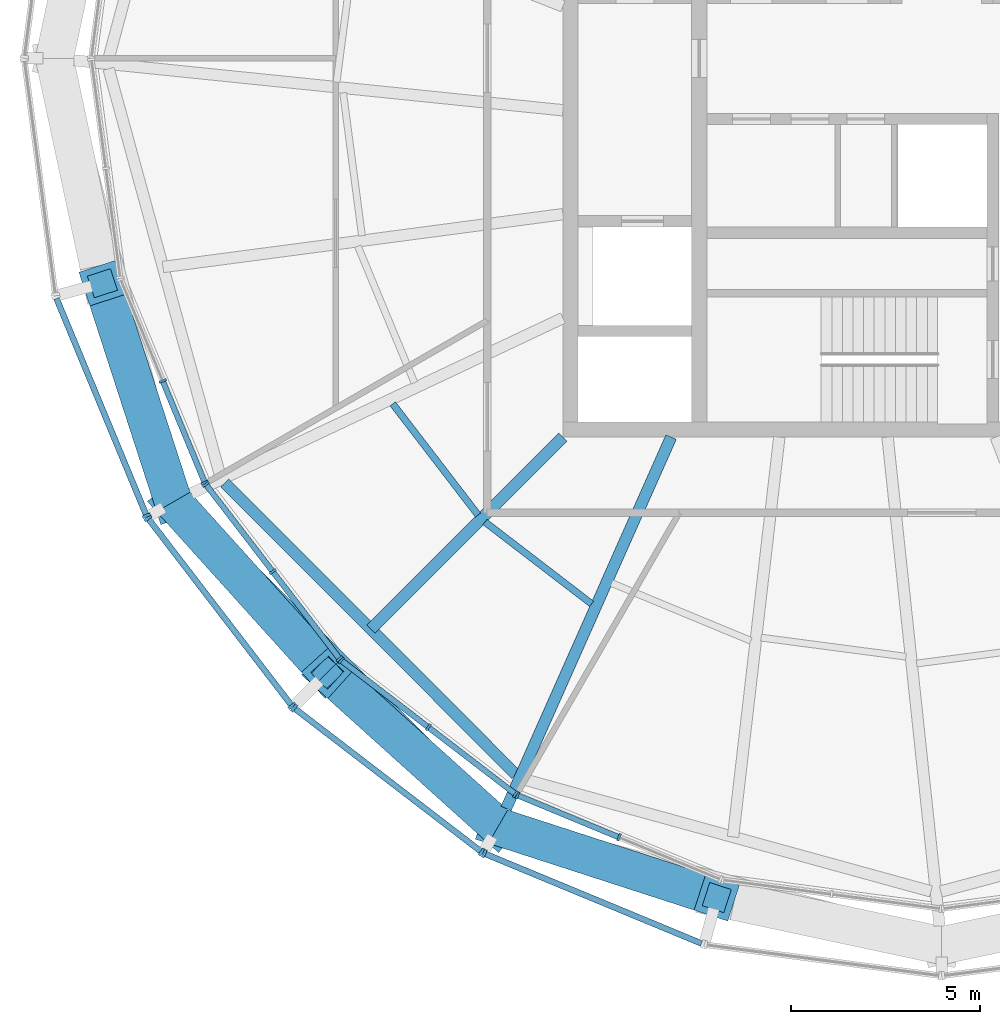
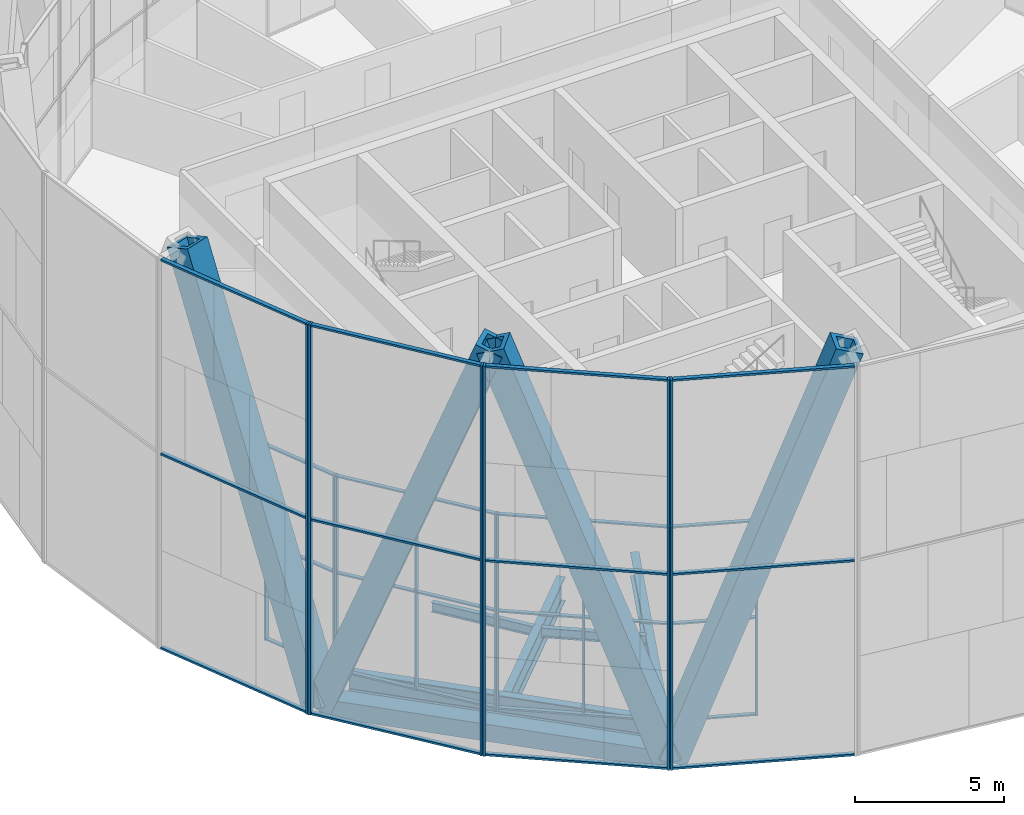
# One storey, part 1 of 22: 50 members, 6 beams, 8 elements without a shape of their own.
"""IFC4 building model written with IfcOpenShell, lengths in metres."""

from ifc_helpers import new_model, si_unit, direction, frame, origin, origin_2d, place, context, subcontext, project, spatial, rectangle, hollow_rectangle, i_section, extrude, material, material_profile, profile_set, type_object, element, aggregate, save


model = new_model("IFC4")

# Units and contexts
model_context = context("Model", 3, precision=1e-05, world=origin(), true_north=direction((0.0, 1.0)))
body_context = subcontext(model_context, "Body", "Model", "MODEL_VIEW")
ifc_project = project(units=[si_unit("LENGTHUNIT", "METRE"), si_unit("AREAUNIT", "SQUARE_METRE"), si_unit("VOLUMEUNIT", "CUBIC_METRE"), si_unit("PLANEANGLEUNIT", "RADIAN"), si_unit("MASSUNIT", "GRAM", prefix="KILO")], contexts=[model_context])

# Site, building, storey
site_placement = place(None, origin())
site = spatial("IfcSite", under=ifc_project, at=site_placement, CompositionType="ELEMENT")
building_placement = place(site_placement, origin())
building = spatial("IfcBuilding", under=site, at=building_placement, Name="Golbaran Civic Tower", CompositionType="ELEMENT")
storey_placement = place(building_placement, frame((0.0, 0.0, 248.0)))
storey = spatial("IfcBuildingStorey", under=building, at=storey_placement, Name="L60", CompositionType="ELEMENT", Elevation=248.0)

# Members
ifc_material_1 = material(Name="Steel S355", Category="steel")
ifc_material_profile_1 = material_profile(ifc_material_1, hollow_rectangle(XDim=1.0, YDim=1.0, WallThickness=0.179931640625, at=origin_2d()), Name="BOX 1000x1000x180")
ifc_profile_set_1 = profile_set([ifc_material_profile_1], Name="Steel S355")
member_type_1 = type_object("IfcMemberType", Name="DIAGRID DIAGONAL BOX 1000x1000x180", PredefinedType="BRACE", material=ifc_profile_set_1)
for number, where, z_axis, x_axis, name in (
    (1, (-20.284912109375, -11.71142578125, -0.7099609375), (0.237551283293, -0.263444958098, 0.934968524528), (0.742661884104, 0.669666578156, 0.0), "Diagonal D14-07R L60-L64"),
    (2, (-20.284912109375, -11.71142578125, -0.7099609375), (-0.109367082262, 0.337445812256, 0.934970141292), (-0.951284682379, -0.30831388725, 0.0), "Diagonal D14-07L L60-L64"),
    (3, (-11.71142578125, -20.284912109375, -0.7099609375), (0.337445812256, -0.109367082262, 0.934970141292), (0.30831388725, 0.951284682379, 0.0), "Diagonal D14-08R L60-L64"),
    (4, (-11.71142578125, -20.284912109375, -0.7099609375), (-0.263444958098, 0.237551283293, 0.934968524528), (-0.669666578156, -0.742661884104, 0.0), "Diagonal D14-08L L60-L64"),
):
    element("IfcMember", number, at=place(storey_placement, frame(where, z_axis=z_axis, x_axis=x_axis)), inside=storey, type_object=member_type_1, Name=name, PredefinedType="BRACE", context=body_context, shape_type="SweptSolid", body=[
        extrude(hollow_rectangle(XDim=1.0, YDim=1.0, WallThickness=0.179931640625, at=origin_2d()), origin(), (0.0, 0.0, 1.0), 17.11279296875),
    ])

# Beams
ifc_material_profile_2 = material_profile(ifc_material_1, hollow_rectangle(XDim=0.699951171875, YDim=0.699951171875, WallThickness=0.080078125, at=origin_2d()), Name="BOX 700x700x80")
ifc_profile_set_2 = profile_set([ifc_material_profile_2], Name="Steel S355")
beam_type_1 = type_object("IfcBeamType", Name="DIAGRID RING TIE BOX 700x700x80", PredefinedType="BEAM", material=ifc_profile_set_2)
beam_1_placement = place(storey_placement, frame((-20.284912109375, -11.71142578125, -0.7099609375), z_axis=(0.707106781187, -0.707106781187, 0.0), x_axis=(0.707106781187, 0.707106781187, 0.0)))
element("IfcBeam", 5, at=beam_1_placement, inside=storey, type_object=beam_type_1, Name="Ring tie 210.00 L60", PredefinedType="BEAM", context=body_context, shape_type="SweptSolid", body=[
    extrude(hollow_rectangle(XDim=0.699951171875, YDim=0.699951171875, WallThickness=0.080078125, at=origin_2d()), origin(), (0.0, 0.0, 1.0), 12.124755859375),
])
ifc_material_profile_3 = material_profile(ifc_material_1, i_section(OverallWidth=0.300048828125, OverallDepth=0.800048828125, WebThickness=0.017578125, FlangeThickness=0.032958984375, FilletRadius=0.030029296875, at=origin_2d()), Name="HEB 800")
ifc_profile_set_3 = profile_set([ifc_material_profile_3], Name="Steel S355")
beam_type_2 = type_object("IfcBeamType", Name="EDGE BEAM HEB 800", PredefinedType="BEAM", material=ifc_profile_set_3)
beam_2_placement = place(storey_placement, frame((-18.9228515625, -11.21240234375, -0.60009765625), z_axis=(0.70659009574, -0.707623089365, 0.0), x_axis=(0.707623089365, 0.70659009574, 0.0)))
element("IfcBeam", 6, at=beam_2_placement, inside=storey, type_object=beam_type_2, Name="Edge beam 210.00 L60", PredefinedType="BEAM", context=body_context, shape_type="SweptSolid", body=[
    extrude(i_section(OverallWidth=0.300048828125, OverallDepth=0.800048828125, WebThickness=0.017578125, FlangeThickness=0.032958984375, FilletRadius=0.030029296875, at=origin_2d()), origin(), (0.0, 0.0, 1.0), 10.871826171875),
])
ifc_material_profile_4 = material_profile(ifc_material_1, i_section(OverallWidth=0.179931640625, OverallDepth=0.39990234375, WebThickness=0.008544921875, FlangeThickness=0.013427734375, FilletRadius=0.02099609375, at=origin_2d()), Name="IPE 400")
ifc_profile_set_4 = profile_set([ifc_material_profile_4], Name="Steel S355")
beam_type_3 = type_object("IfcBeamType", Name="FLOOR INFILL BEAM IPE 400", PredefinedType="BEAM", material=ifc_profile_set_4)
beam_3_placement = place(storey_placement, frame((-14.491943359375, -9.12109375, -0.39990234375), z_axis=(0.608801399042, -0.793322668606, 0.0), x_axis=(0.793322668606, 0.608801399042, 0.0)))
element("IfcBeam", 7, at=beam_3_placement, inside=storey, type_object=beam_type_3, Name="Infill beam 217.50 L60", PredefinedType="BEAM", context=body_context, shape_type="SweptSolid", body=[
    extrude(i_section(OverallWidth=0.179931640625, OverallDepth=0.39990234375, WebThickness=0.008544921875, FlangeThickness=0.013427734375, FilletRadius=0.02099609375, at=origin_2d()), origin(), (0.0, 0.0, 1.0), 3.699462890625),
])
beam_4_placement = place(storey_placement, frame((-12.057373046875, -12.2412109375, -0.39990234375), z_axis=(0.793341764816, -0.608776514165, 0.0), x_axis=(0.608776514165, 0.793341764816, 0.0)))
element("IfcBeam", 8, at=beam_4_placement, inside=storey, type_object=beam_type_3, Name="Infill beam 232.50 L60", PredefinedType="BEAM", context=body_context, shape_type="SweptSolid", body=[
    extrude(i_section(OverallWidth=0.179931640625, OverallDepth=0.39990234375, WebThickness=0.008544921875, FlangeThickness=0.013427734375, FilletRadius=0.02099609375, at=origin_2d()), origin(), (0.0, 0.0, 1.0), 3.55029296875),
])

# Curtain wall, members
ifc_material_2 = material(Name="Aluminium and glass", Category="aluminium")
curtain_wall_type_1 = type_object("IfcCurtainWallType", Name="INNER SKIN CURTAIN WALL EXECUTIVE", PredefinedType="NOTDEFINED", material=ifc_material_2)
curtain_wall_1_placement = place(storey_placement, origin())
curtain_wall_1 = element("IfcCurtainWall", 9, at=curtain_wall_1_placement, inside=storey, type_object=curtain_wall_type_1, Name="Inner skin L60 facet 14 CW2", ObjectType="INNER SKIN", PredefinedType="USERDEFINED")
ifc_material_3 = material(Name="Aluminium", Category="aluminium")
ifc_material_profile_5 = material_profile(ifc_material_3, rectangle(XDim=0.199951171875, YDim=0.06005859375, at=origin_2d()), Name="INNER SKIN CURTAIN WALL EXECUTIVE MULLION")
ifc_profile_set_5 = profile_set([ifc_material_profile_5], Name="Aluminium")
member_type_2 = type_object("IfcMemberType", Name="INNER SKIN CURTAIN WALL EXECUTIVE MULLION", PredefinedType="MULLION", material=ifc_profile_set_5)
member_1_placement = place(storey_placement, frame((-20.5654296875, -8.5185546875, 0.0), z_axis=(0.0, 0.0, 1.0), x_axis=(0.923879532505, 0.382683432381, 0.0)))
member_1 = element("IfcMember", 10, at=member_1_placement, type_object=member_type_2, Name="CW2 mullion 2", PredefinedType="MULLION", context=body_context, shape_type="SweptSolid", body=[
    extrude(rectangle(XDim=0.199951171875, YDim=0.06005859375, at=origin_2d()), origin(), (0.0, 0.0, 1.0), 8.0),
])
member_2_placement = place(storey_placement, frame((-19.45556640625, -11.1982421875, 0.0), z_axis=(0.0, 0.0, 1.0), x_axis=(0.923879532505, 0.382683432381, 0.0)))
member_2 = element("IfcMember", 11, at=member_2_placement, type_object=member_type_2, Name="CW2 mullion 3", PredefinedType="MULLION", context=body_context, shape_type="SweptSolid", body=[
    extrude(rectangle(XDim=0.199951171875, YDim=0.06005859375, at=origin_2d()), origin(), (0.0, 0.0, 1.0), 8.0),
])

curtain_wall_2_placement = place(storey_placement, origin())
curtain_wall_2 = element("IfcCurtainWall", 12, at=curtain_wall_2_placement, inside=storey, type_object=curtain_wall_type_1, Name="Inner skin L60 facet 15 CW2", ObjectType="INNER SKIN", PredefinedType="USERDEFINED")
member_3_placement = place(storey_placement, frame((-19.42578125, -11.249755859375, 0.0), z_axis=(0.0, 0.0, 1.0), x_axis=(0.793353340238, 0.608761429078, 0.0)))
member_3 = element("IfcMember", 13, at=member_3_placement, type_object=member_type_2, Name="CW2 mullion 1", PredefinedType="MULLION", context=body_context, shape_type="SweptSolid", body=[
    extrude(rectangle(XDim=0.199951171875, YDim=0.06005859375, at=origin_2d()), origin(), (0.0, 0.0, 1.0), 8.0),
])
member_4_placement = place(storey_placement, frame((-17.659912109375, -13.551025390625, 0.0), z_axis=(0.0, 0.0, 1.0), x_axis=(0.793353340238, 0.608761429078, 0.0)))
member_4 = element("IfcMember", 14, at=member_4_placement, type_object=member_type_2, Name="CW2 mullion 2", PredefinedType="MULLION", context=body_context, shape_type="SweptSolid", body=[
    extrude(rectangle(XDim=0.199951171875, YDim=0.06005859375, at=origin_2d()), origin(), (0.0, 0.0, 1.0), 8.0),
])
member_5_placement = place(storey_placement, frame((-15.894287109375, -15.85205078125, 0.0), z_axis=(0.0, 0.0, 1.0), x_axis=(0.793353340238, 0.608761429078, 0.0)))
member_5 = element("IfcMember", 15, at=member_5_placement, type_object=member_type_2, Name="CW2 mullion 3", PredefinedType="MULLION", context=body_context, shape_type="SweptSolid", body=[
    extrude(rectangle(XDim=0.199951171875, YDim=0.06005859375, at=origin_2d()), origin(), (0.0, 0.0, 1.0), 8.0),
])

curtain_wall_3_placement = place(storey_placement, origin())
curtain_wall_3 = element("IfcCurtainWall", 16, at=curtain_wall_3_placement, inside=storey, type_object=curtain_wall_type_1, Name="Inner skin L60 facet 16 CW2", ObjectType="INNER SKIN", PredefinedType="USERDEFINED")
member_6_placement = place(storey_placement, frame((-15.85205078125, -15.894287109375, 0.0), z_axis=(0.0, 0.0, 1.0), x_axis=(0.608761429078, 0.793353340238, 0.0)))
member_6 = element("IfcMember", 17, at=member_6_placement, type_object=member_type_2, Name="CW2 mullion 1", PredefinedType="MULLION", context=body_context, shape_type="SweptSolid", body=[
    extrude(rectangle(XDim=0.199951171875, YDim=0.06005859375, at=origin_2d()), origin(), (0.0, 0.0, 1.0), 8.0),
])
member_7_placement = place(storey_placement, frame((-13.551025390625, -17.659912109375, 0.0), z_axis=(0.0, 0.0, 1.0), x_axis=(0.608761429078, 0.793353340238, 0.0)))
member_7 = element("IfcMember", 18, at=member_7_placement, type_object=member_type_2, Name="CW2 mullion 2", PredefinedType="MULLION", context=body_context, shape_type="SweptSolid", body=[
    extrude(rectangle(XDim=0.199951171875, YDim=0.06005859375, at=origin_2d()), origin(), (0.0, 0.0, 1.0), 8.0),
])
member_8_placement = place(storey_placement, frame((-11.249755859375, -19.42578125, 0.0), z_axis=(0.0, 0.0, 1.0), x_axis=(0.608761429078, 0.793353340238, 0.0)))
member_8 = element("IfcMember", 19, at=member_8_placement, type_object=member_type_2, Name="CW2 mullion 3", PredefinedType="MULLION", context=body_context, shape_type="SweptSolid", body=[
    extrude(rectangle(XDim=0.199951171875, YDim=0.06005859375, at=origin_2d()), origin(), (0.0, 0.0, 1.0), 8.0),
])

curtain_wall_4_placement = place(storey_placement, origin())
curtain_wall_4 = element("IfcCurtainWall", 20, at=curtain_wall_4_placement, inside=storey, type_object=curtain_wall_type_1, Name="Inner skin L60 facet 17 CW2", ObjectType="INNER SKIN", PredefinedType="USERDEFINED")
member_9_placement = place(storey_placement, frame((-11.1982421875, -19.45556640625, 0.0), z_axis=(0.0, 0.0, 1.0), x_axis=(0.382683432381, 0.923879532505, 0.0)))
member_9 = element("IfcMember", 21, at=member_9_placement, type_object=member_type_2, Name="CW2 mullion 1", PredefinedType="MULLION", context=body_context, shape_type="SweptSolid", body=[
    extrude(rectangle(XDim=0.199951171875, YDim=0.06005859375, at=origin_2d()), origin(), (0.0, 0.0, 1.0), 8.0),
])
member_10_placement = place(storey_placement, frame((-8.5185546875, -20.5654296875, 0.0), z_axis=(0.0, 0.0, 1.0), x_axis=(0.382683432381, 0.923879532505, 0.0)))
member_10 = element("IfcMember", 22, at=member_10_placement, type_object=member_type_2, Name="CW2 mullion 2", PredefinedType="MULLION", context=body_context, shape_type="SweptSolid", body=[
    extrude(rectangle(XDim=0.199951171875, YDim=0.06005859375, at=origin_2d()), origin(), (0.0, 0.0, 1.0), 8.0),
])

# Member
ifc_material_profile_6 = material_profile(ifc_material_3, rectangle(XDim=0.14990234375, YDim=0.06005859375, at=origin_2d()), Name="INNER SKIN CURTAIN WALL EXECUTIVE TRANSOM")
ifc_profile_set_6 = profile_set([ifc_material_profile_6], Name="Aluminium")
member_type_3 = type_object("IfcMemberType", Name="INNER SKIN CURTAIN WALL EXECUTIVE TRANSOM", PredefinedType="USERDEFINED", material=ifc_profile_set_6)
member_11_placement = place(storey_placement, frame((-20.553955078125, -8.546142578125, 0.030029296875), z_axis=(0.382625053438, -0.923903711694, 0.0), x_axis=(0.923903711694, 0.382625053438, 0.0)))
member_11 = element("IfcMember", 23, at=member_11_placement, type_object=member_type_3, Name="CW2 transom 2.1", ObjectType="TRANSOM", PredefinedType="USERDEFINED", context=body_context, shape_type="SweptSolid", body=[
    extrude(rectangle(XDim=0.14990234375, YDim=0.06005859375, at=origin_2d()), origin(), (0.0, 0.0, 1.0), 2.840576171875),
])

member_12_placement = place(storey_placement, frame((-20.553955078125, -8.546142578125, 4.0), z_axis=(0.382625053438, -0.923903711694, 0.0), x_axis=(0.923903711694, 0.382625053438, 0.0)))
member_12 = element("IfcMember", 24, at=member_12_placement, type_object=member_type_3, Name="CW2 transom 2.2", ObjectType="TRANSOM", PredefinedType="USERDEFINED", context=body_context, shape_type="SweptSolid", body=[
    extrude(rectangle(XDim=0.14990234375, YDim=0.06005859375, at=origin_2d()), origin(), (0.0, 0.0, 1.0), 2.840576171875),
])

member_13_placement = place(storey_placement, frame((-20.553955078125, -8.546142578125, 7.969970703125), z_axis=(0.382625053438, -0.923903711694, 0.0), x_axis=(0.923903711694, 0.382625053438, 0.0)))
member_13 = element("IfcMember", 25, at=member_13_placement, type_object=member_type_3, Name="CW2 transom 2.3", ObjectType="TRANSOM", PredefinedType="USERDEFINED", context=body_context, shape_type="SweptSolid", body=[
    extrude(rectangle(XDim=0.14990234375, YDim=0.06005859375, at=origin_2d()), origin(), (0.0, 0.0, 1.0), 2.840576171875),
])

aggregate(curtain_wall_1, [member_1, member_2, member_11, member_12, member_13])

member_14_placement = place(storey_placement, frame((-19.407470703125, -11.273681640625, 0.030029296875), z_axis=(0.608792367533, -0.793329599368, 0.0), x_axis=(0.793329599368, 0.608792367533, 0.0)))
member_14 = element("IfcMember", 26, at=member_14_placement, type_object=member_type_3, Name="CW2 transom 1.1", ObjectType="TRANSOM", PredefinedType="USERDEFINED", context=body_context, shape_type="SweptSolid", body=[
    extrude(rectangle(XDim=0.14990234375, YDim=0.06005859375, at=origin_2d()), origin(), (0.0, 0.0, 1.0), 2.840576171875),
])

member_15_placement = place(storey_placement, frame((-19.407470703125, -11.273681640625, 4.0), z_axis=(0.608792367533, -0.793329599368, 0.0), x_axis=(0.793329599368, 0.608792367533, 0.0)))
member_15 = element("IfcMember", 27, at=member_15_placement, type_object=member_type_3, Name="CW2 transom 1.2", ObjectType="TRANSOM", PredefinedType="USERDEFINED", context=body_context, shape_type="SweptSolid", body=[
    extrude(rectangle(XDim=0.14990234375, YDim=0.06005859375, at=origin_2d()), origin(), (0.0, 0.0, 1.0), 2.840576171875),
])

member_16_placement = place(storey_placement, frame((-19.407470703125, -11.273681640625, 7.969970703125), z_axis=(0.608792367533, -0.793329599368, 0.0), x_axis=(0.793329599368, 0.608792367533, 0.0)))
member_16 = element("IfcMember", 28, at=member_16_placement, type_object=member_type_3, Name="CW2 transom 1.3", ObjectType="TRANSOM", PredefinedType="USERDEFINED", context=body_context, shape_type="SweptSolid", body=[
    extrude(rectangle(XDim=0.14990234375, YDim=0.06005859375, at=origin_2d()), origin(), (0.0, 0.0, 1.0), 2.840576171875),
])

member_17_placement = place(storey_placement, frame((-17.6416015625, -13.57470703125, 0.030029296875), z_axis=(0.608696757251, -0.793402960489, 0.0), x_axis=(0.793402960489, 0.608696757251, 0.0)))
member_17 = element("IfcMember", 29, at=member_17_placement, type_object=member_type_3, Name="CW2 transom 2.1", ObjectType="TRANSOM", PredefinedType="USERDEFINED", context=body_context, shape_type="SweptSolid", body=[
    extrude(rectangle(XDim=0.14990234375, YDim=0.06005859375, at=origin_2d()), origin(), (0.0, 0.0, 1.0), 2.840576171875),
])

member_18_placement = place(storey_placement, frame((-17.6416015625, -13.57470703125, 4.0), z_axis=(0.608696757251, -0.793402960489, 0.0), x_axis=(0.793402960489, 0.608696757251, 0.0)))
member_18 = element("IfcMember", 30, at=member_18_placement, type_object=member_type_3, Name="CW2 transom 2.2", ObjectType="TRANSOM", PredefinedType="USERDEFINED", context=body_context, shape_type="SweptSolid", body=[
    extrude(rectangle(XDim=0.14990234375, YDim=0.06005859375, at=origin_2d()), origin(), (0.0, 0.0, 1.0), 2.840576171875),
])

member_19_placement = place(storey_placement, frame((-17.6416015625, -13.57470703125, 7.969970703125), z_axis=(0.608696757251, -0.793402960489, 0.0), x_axis=(0.793402960489, 0.608696757251, 0.0)))
member_19 = element("IfcMember", 31, at=member_19_placement, type_object=member_type_3, Name="CW2 transom 2.3", ObjectType="TRANSOM", PredefinedType="USERDEFINED", context=body_context, shape_type="SweptSolid", body=[
    extrude(rectangle(XDim=0.14990234375, YDim=0.06005859375, at=origin_2d()), origin(), (0.0, 0.0, 1.0), 2.840576171875),
])

aggregate(curtain_wall_2, [member_3, member_4, member_5, member_14, member_15, member_16, member_17, member_18, member_19])

member_20_placement = place(storey_placement, frame((-15.828369140625, -15.91259765625, 0.030029296875), z_axis=(0.793402960489, -0.608696757251, 0.0), x_axis=(0.608696757251, 0.793402960489, 0.0)))
member_20 = element("IfcMember", 32, at=member_20_placement, type_object=member_type_3, Name="CW2 transom 1.1", ObjectType="TRANSOM", PredefinedType="USERDEFINED", context=body_context, shape_type="SweptSolid", body=[
    extrude(rectangle(XDim=0.14990234375, YDim=0.06005859375, at=origin_2d()), origin(), (0.0, 0.0, 1.0), 2.840576171875),
])

member_21_placement = place(storey_placement, frame((-15.828369140625, -15.91259765625, 4.0), z_axis=(0.793402960489, -0.608696757251, 0.0), x_axis=(0.608696757251, 0.793402960489, 0.0)))
member_21 = element("IfcMember", 33, at=member_21_placement, type_object=member_type_3, Name="CW2 transom 1.2", ObjectType="TRANSOM", PredefinedType="USERDEFINED", context=body_context, shape_type="SweptSolid", body=[
    extrude(rectangle(XDim=0.14990234375, YDim=0.06005859375, at=origin_2d()), origin(), (0.0, 0.0, 1.0), 2.840576171875),
])

member_22_placement = place(storey_placement, frame((-15.828369140625, -15.91259765625, 7.969970703125), z_axis=(0.793402960489, -0.608696757251, 0.0), x_axis=(0.608696757251, 0.793402960489, 0.0)))
member_22 = element("IfcMember", 34, at=member_22_placement, type_object=member_type_3, Name="CW2 transom 1.3", ObjectType="TRANSOM", PredefinedType="USERDEFINED", context=body_context, shape_type="SweptSolid", body=[
    extrude(rectangle(XDim=0.14990234375, YDim=0.06005859375, at=origin_2d()), origin(), (0.0, 0.0, 1.0), 2.840576171875),
])

member_23_placement = place(storey_placement, frame((-13.527099609375, -17.67822265625, 0.030029296875), z_axis=(0.793329599368, -0.608792367533, 0.0), x_axis=(0.608792367533, 0.793329599368, 0.0)))
member_23 = element("IfcMember", 35, at=member_23_placement, type_object=member_type_3, Name="CW2 transom 2.1", ObjectType="TRANSOM", PredefinedType="USERDEFINED", context=body_context, shape_type="SweptSolid", body=[
    extrude(rectangle(XDim=0.14990234375, YDim=0.06005859375, at=origin_2d()), origin(), (0.0, 0.0, 1.0), 2.840576171875),
])

member_24_placement = place(storey_placement, frame((-13.527099609375, -17.67822265625, 4.0), z_axis=(0.793329599368, -0.608792367533, 0.0), x_axis=(0.608792367533, 0.793329599368, 0.0)))
member_24 = element("IfcMember", 36, at=member_24_placement, type_object=member_type_3, Name="CW2 transom 2.2", ObjectType="TRANSOM", PredefinedType="USERDEFINED", context=body_context, shape_type="SweptSolid", body=[
    extrude(rectangle(XDim=0.14990234375, YDim=0.06005859375, at=origin_2d()), origin(), (0.0, 0.0, 1.0), 2.840576171875),
])

member_25_placement = place(storey_placement, frame((-13.527099609375, -17.67822265625, 7.969970703125), z_axis=(0.793329599368, -0.608792367533, 0.0), x_axis=(0.608792367533, 0.793329599368, 0.0)))
member_25 = element("IfcMember", 37, at=member_25_placement, type_object=member_type_3, Name="CW2 transom 2.3", ObjectType="TRANSOM", PredefinedType="USERDEFINED", context=body_context, shape_type="SweptSolid", body=[
    extrude(rectangle(XDim=0.14990234375, YDim=0.06005859375, at=origin_2d()), origin(), (0.0, 0.0, 1.0), 2.840576171875),
])

aggregate(curtain_wall_3, [member_6, member_7, member_8, member_20, member_21, member_22, member_23, member_24, member_25])

member_26_placement = place(storey_placement, frame((-11.170654296875, -19.467041015625, 0.030029296875), z_axis=(0.923903711694, -0.382625053438, 0.0), x_axis=(0.382625053438, 0.923903711694, 0.0)))
member_26 = element("IfcMember", 38, at=member_26_placement, type_object=member_type_3, Name="CW2 transom 1.1", ObjectType="TRANSOM", PredefinedType="USERDEFINED", context=body_context, shape_type="SweptSolid", body=[
    extrude(rectangle(XDim=0.14990234375, YDim=0.06005859375, at=origin_2d()), origin(), (0.0, 0.0, 1.0), 2.840576171875),
])

member_27_placement = place(storey_placement, frame((-11.170654296875, -19.467041015625, 4.0), z_axis=(0.923903711694, -0.382625053438, 0.0), x_axis=(0.382625053438, 0.923903711694, 0.0)))
member_27 = element("IfcMember", 39, at=member_27_placement, type_object=member_type_3, Name="CW2 transom 1.2", ObjectType="TRANSOM", PredefinedType="USERDEFINED", context=body_context, shape_type="SweptSolid", body=[
    extrude(rectangle(XDim=0.14990234375, YDim=0.06005859375, at=origin_2d()), origin(), (0.0, 0.0, 1.0), 2.840576171875),
])

member_28_placement = place(storey_placement, frame((-11.170654296875, -19.467041015625, 7.969970703125), z_axis=(0.923903711694, -0.382625053438, 0.0), x_axis=(0.382625053438, 0.923903711694, 0.0)))
member_28 = element("IfcMember", 40, at=member_28_placement, type_object=member_type_3, Name="CW2 transom 1.3", ObjectType="TRANSOM", PredefinedType="USERDEFINED", context=body_context, shape_type="SweptSolid", body=[
    extrude(rectangle(XDim=0.14990234375, YDim=0.06005859375, at=origin_2d()), origin(), (0.0, 0.0, 1.0), 2.840576171875),
])

aggregate(curtain_wall_4, [member_9, member_10, member_26, member_27, member_28])

# Curtain wall, member
curtain_wall_type_2 = type_object("IfcCurtainWallType", Name="OUTER SKIN TERRACOTTA SCREEN", PredefinedType="NOTDEFINED", material=ifc_material_2)
curtain_wall_5_placement = place(storey_placement, origin())
curtain_wall_5 = element("IfcCurtainWall", 41, at=curtain_wall_5_placement, inside=storey, type_object=curtain_wall_type_2, Name="Outer skin L60 facet 14 CW3", ObjectType="OUTER SKIN", PredefinedType="USERDEFINED")
ifc_material_profile_7 = material_profile(ifc_material_3, rectangle(XDim=0.219970703125, YDim=0.080078125, at=origin_2d()), Name="OUTER SKIN TERRACOTTA SCREEN MULLION")
ifc_profile_set_7 = profile_set([ifc_material_profile_7], Name="Aluminium")
member_type_4 = type_object("IfcMemberType", Name="OUTER SKIN TERRACOTTA SCREEN MULLION", PredefinedType="MULLION", material=ifc_profile_set_7)
member_29_placement = place(storey_placement, frame((-20.992919921875, -12.074462890625, -0.7099609375), z_axis=(0.0, 0.0, 1.0), x_axis=(0.923879532518, 0.382683432349, 0.0)))
member_29 = element("IfcMember", 42, at=member_29_placement, type_object=member_type_4, Name="CW3 mullion 2", PredefinedType="MULLION", context=body_context, shape_type="SweptSolid", body=[
    extrude(rectangle(XDim=0.219970703125, YDim=0.080078125, at=origin_2d()), origin(), (0.0, 0.0, 1.0), 16.0),
])

# Curtain wall, members
curtain_wall_6_placement = place(storey_placement, origin())
curtain_wall_6 = element("IfcCurtainWall", 43, at=curtain_wall_6_placement, inside=storey, type_object=curtain_wall_type_2, Name="Outer skin L60 facet 15 CW3", ObjectType="OUTER SKIN", PredefinedType="USERDEFINED")
member_30_placement = place(storey_placement, frame((-20.953369140625, -12.143310546875, -0.7099609375), z_axis=(0.0, 0.0, 1.0), x_axis=(0.793353340323, 0.608761428967, 0.0)))
member_30 = element("IfcMember", 44, at=member_30_placement, type_object=member_type_4, Name="CW3 mullion 1", PredefinedType="MULLION", context=body_context, shape_type="SweptSolid", body=[
    extrude(rectangle(XDim=0.219970703125, YDim=0.080078125, at=origin_2d()), origin(), (0.0, 0.0, 1.0), 16.0),
])
member_31_placement = place(storey_placement, frame((-17.152587890625, -17.096435546875, -0.7099609375), z_axis=(0.0, 0.0, 1.0), x_axis=(0.793353340323, 0.608761428967, 0.0)))
member_31 = element("IfcMember", 45, at=member_31_placement, type_object=member_type_4, Name="CW3 mullion 2", PredefinedType="MULLION", context=body_context, shape_type="SweptSolid", body=[
    extrude(rectangle(XDim=0.219970703125, YDim=0.080078125, at=origin_2d()), origin(), (0.0, 0.0, 1.0), 16.0),
])

curtain_wall_7_placement = place(storey_placement, origin())
curtain_wall_7 = element("IfcCurtainWall", 46, at=curtain_wall_7_placement, inside=storey, type_object=curtain_wall_type_2, Name="Outer skin L60 facet 16 CW3", ObjectType="OUTER SKIN", PredefinedType="USERDEFINED")
member_32_placement = place(storey_placement, frame((-17.096435546875, -17.152587890625, -0.7099609375), z_axis=(0.0, 0.0, 1.0), x_axis=(0.608761428967, 0.793353340323, 0.0)))
member_32 = element("IfcMember", 47, at=member_32_placement, type_object=member_type_4, Name="CW3 mullion 1", PredefinedType="MULLION", context=body_context, shape_type="SweptSolid", body=[
    extrude(rectangle(XDim=0.219970703125, YDim=0.080078125, at=origin_2d()), origin(), (0.0, 0.0, 1.0), 16.0),
])
member_33_placement = place(storey_placement, frame((-12.143310546875, -20.953369140625, -0.7099609375), z_axis=(0.0, 0.0, 1.0), x_axis=(0.608761428967, 0.793353340323, 0.0)))
member_33 = element("IfcMember", 48, at=member_33_placement, type_object=member_type_4, Name="CW3 mullion 2", PredefinedType="MULLION", context=body_context, shape_type="SweptSolid", body=[
    extrude(rectangle(XDim=0.219970703125, YDim=0.080078125, at=origin_2d()), origin(), (0.0, 0.0, 1.0), 16.0),
])

# Curtain wall, member
curtain_wall_8_placement = place(storey_placement, origin())
curtain_wall_8 = element("IfcCurtainWall", 49, at=curtain_wall_8_placement, inside=storey, type_object=curtain_wall_type_2, Name="Outer skin L60 facet 17 CW3", ObjectType="OUTER SKIN", PredefinedType="USERDEFINED")
member_34_placement = place(storey_placement, frame((-12.074462890625, -20.992919921875, -0.7099609375), z_axis=(0.0, 0.0, 1.0), x_axis=(0.382683432349, 0.923879532518, 0.0)))
member_34 = element("IfcMember", 50, at=member_34_placement, type_object=member_type_4, Name="CW3 mullion 1", PredefinedType="MULLION", context=body_context, shape_type="SweptSolid", body=[
    extrude(rectangle(XDim=0.219970703125, YDim=0.080078125, at=origin_2d()), origin(), (0.0, 0.0, 1.0), 16.0),
])

# Member
ifc_material_profile_8 = material_profile(ifc_material_3, rectangle(XDim=0.159912109375, YDim=0.080078125, at=origin_2d()), Name="OUTER SKIN TERRACOTTA SCREEN TRANSOM")
ifc_profile_set_8 = profile_set([ifc_material_profile_8], Name="Aluminium")
member_type_5 = type_object("IfcMemberType", Name="OUTER SKIN TERRACOTTA SCREEN TRANSOM", PredefinedType="USERDEFINED", material=ifc_profile_set_8)
member_35_placement = place(storey_placement, frame((-23.366943359375, -6.34326171875, -0.669921875), z_axis=(0.38267947225, -0.923881172835, 0.0), x_axis=(0.923881172835, 0.38267947225, 0.0)))
member_35 = element("IfcMember", 51, at=member_35_placement, type_object=member_type_5, Name="CW3 transom 1.1", ObjectType="TRANSOM", PredefinedType="USERDEFINED", context=body_context, shape_type="SweptSolid", body=[
    extrude(rectangle(XDim=0.159912109375, YDim=0.080078125, at=origin_2d()), origin(), (0.0, 0.0, 1.0), 6.16357421875),
])

member_36_placement = place(storey_placement, frame((-23.366943359375, -6.34326171875, 7.2900390625), z_axis=(0.38267947225, -0.923881172835, 0.0), x_axis=(0.923881172835, 0.38267947225, 0.0)))
member_36 = element("IfcMember", 52, at=member_36_placement, type_object=member_type_5, Name="CW3 transom 1.2", ObjectType="TRANSOM", PredefinedType="USERDEFINED", context=body_context, shape_type="SweptSolid", body=[
    extrude(rectangle(XDim=0.159912109375, YDim=0.080078125, at=origin_2d()), origin(), (0.0, 0.0, 1.0), 6.16357421875),
])

member_37_placement = place(storey_placement, frame((-23.366943359375, -6.34326171875, 15.25), z_axis=(0.38267947225, -0.923881172835, 0.0), x_axis=(0.923881172835, 0.38267947225, 0.0)))
member_37 = element("IfcMember", 53, at=member_37_placement, type_object=member_type_5, Name="CW3 transom 1.3", ObjectType="TRANSOM", PredefinedType="USERDEFINED", context=body_context, shape_type="SweptSolid", body=[
    extrude(rectangle(XDim=0.159912109375, YDim=0.080078125, at=origin_2d()), origin(), (0.0, 0.0, 1.0), 6.16357421875),
])

aggregate(curtain_wall_5, [member_29, member_35, member_36, member_37])

member_38_placement = place(storey_placement, frame((-20.928955078125, -12.175048828125, -0.669921875), z_axis=(0.608760807814, -0.79335381695, 0.0), x_axis=(0.79335381695, 0.608760807814, 0.0)))
member_38 = element("IfcMember", 54, at=member_38_placement, type_object=member_type_5, Name="CW3 transom 1.1", ObjectType="TRANSOM", PredefinedType="USERDEFINED", context=body_context, shape_type="SweptSolid", body=[
    extrude(rectangle(XDim=0.159912109375, YDim=0.080078125, at=origin_2d()), origin(), (0.0, 0.0, 1.0), 6.163330078125),
])

member_39_placement = place(storey_placement, frame((-20.928955078125, -12.175048828125, 7.2900390625), z_axis=(0.608760807814, -0.79335381695, 0.0), x_axis=(0.79335381695, 0.608760807814, 0.0)))
member_39 = element("IfcMember", 55, at=member_39_placement, type_object=member_type_5, Name="CW3 transom 1.2", ObjectType="TRANSOM", PredefinedType="USERDEFINED", context=body_context, shape_type="SweptSolid", body=[
    extrude(rectangle(XDim=0.159912109375, YDim=0.080078125, at=origin_2d()), origin(), (0.0, 0.0, 1.0), 6.163330078125),
])

member_40_placement = place(storey_placement, frame((-20.928955078125, -12.175048828125, 15.25), z_axis=(0.608760807814, -0.79335381695, 0.0), x_axis=(0.79335381695, 0.608760807814, 0.0)))
member_40 = element("IfcMember", 56, at=member_40_placement, type_object=member_type_5, Name="CW3 transom 1.3", ObjectType="TRANSOM", PredefinedType="USERDEFINED", context=body_context, shape_type="SweptSolid", body=[
    extrude(rectangle(XDim=0.159912109375, YDim=0.080078125, at=origin_2d()), origin(), (0.0, 0.0, 1.0), 6.163330078125),
])

aggregate(curtain_wall_6, [member_30, member_31, member_38, member_39, member_40])

member_41_placement = place(storey_placement, frame((-17.064697265625, -17.177001953125, -0.669921875), z_axis=(0.79335381695, -0.608760807814, 0.0), x_axis=(0.608760807814, 0.79335381695, 0.0)))
member_41 = element("IfcMember", 57, at=member_41_placement, type_object=member_type_5, Name="CW3 transom 1.1", ObjectType="TRANSOM", PredefinedType="USERDEFINED", context=body_context, shape_type="SweptSolid", body=[
    extrude(rectangle(XDim=0.159912109375, YDim=0.080078125, at=origin_2d()), origin(), (0.0, 0.0, 1.0), 6.163330078125),
])

member_42_placement = place(storey_placement, frame((-17.064697265625, -17.177001953125, 7.2900390625), z_axis=(0.79335381695, -0.608760807814, 0.0), x_axis=(0.608760807814, 0.79335381695, 0.0)))
member_42 = element("IfcMember", 58, at=member_42_placement, type_object=member_type_5, Name="CW3 transom 1.2", ObjectType="TRANSOM", PredefinedType="USERDEFINED", context=body_context, shape_type="SweptSolid", body=[
    extrude(rectangle(XDim=0.159912109375, YDim=0.080078125, at=origin_2d()), origin(), (0.0, 0.0, 1.0), 6.163330078125),
])

member_43_placement = place(storey_placement, frame((-17.064697265625, -17.177001953125, 15.25), z_axis=(0.79335381695, -0.608760807814, 0.0), x_axis=(0.608760807814, 0.79335381695, 0.0)))
member_43 = element("IfcMember", 59, at=member_43_placement, type_object=member_type_5, Name="CW3 transom 1.3", ObjectType="TRANSOM", PredefinedType="USERDEFINED", context=body_context, shape_type="SweptSolid", body=[
    extrude(rectangle(XDim=0.159912109375, YDim=0.080078125, at=origin_2d()), origin(), (0.0, 0.0, 1.0), 6.163330078125),
])

aggregate(curtain_wall_7, [member_32, member_33, member_41, member_42, member_43])

member_44_placement = place(storey_placement, frame((-12.03759765625, -21.00830078125, -0.669921875), z_axis=(0.923881172835, -0.38267947225, 0.0), x_axis=(0.38267947225, 0.923881172835, 0.0)))
member_44 = element("IfcMember", 60, at=member_44_placement, type_object=member_type_5, Name="CW3 transom 1.1", ObjectType="TRANSOM", PredefinedType="USERDEFINED", context=body_context, shape_type="SweptSolid", body=[
    extrude(rectangle(XDim=0.159912109375, YDim=0.080078125, at=origin_2d()), origin(), (0.0, 0.0, 1.0), 6.16357421875),
])

member_45_placement = place(storey_placement, frame((-12.03759765625, -21.00830078125, 7.2900390625), z_axis=(0.923881172835, -0.38267947225, 0.0), x_axis=(0.38267947225, 0.923881172835, 0.0)))
member_45 = element("IfcMember", 61, at=member_45_placement, type_object=member_type_5, Name="CW3 transom 1.2", ObjectType="TRANSOM", PredefinedType="USERDEFINED", context=body_context, shape_type="SweptSolid", body=[
    extrude(rectangle(XDim=0.159912109375, YDim=0.080078125, at=origin_2d()), origin(), (0.0, 0.0, 1.0), 6.16357421875),
])

member_46_placement = place(storey_placement, frame((-12.03759765625, -21.00830078125, 15.25), z_axis=(0.923881172835, -0.38267947225, 0.0), x_axis=(0.38267947225, 0.923881172835, 0.0)))
member_46 = element("IfcMember", 62, at=member_46_placement, type_object=member_type_5, Name="CW3 transom 1.3", ObjectType="TRANSOM", PredefinedType="USERDEFINED", context=body_context, shape_type="SweptSolid", body=[
    extrude(rectangle(XDim=0.159912109375, YDim=0.080078125, at=origin_2d()), origin(), (0.0, 0.0, 1.0), 6.16357421875),
])

aggregate(curtain_wall_8, [member_34, member_44, member_45, member_46])

# Beams
ifc_material_profile_9 = material_profile(ifc_material_1, i_section(OverallWidth=0.300048828125, OverallDepth=1.0, WebThickness=0.01904296875, FlangeThickness=0.035888671875, FilletRadius=0.030029296875, at=origin_2d()), Name="HEB 1000")
ifc_profile_set_9 = profile_set([ifc_material_profile_9], Name="Steel S355")
beam_type_4 = type_object("IfcBeamType", Name="RADIAL FLOOR BEAM HEB 1000", PredefinedType="BEAM", material=ifc_profile_set_9)
beam_5_placement = place(storey_placement, frame((-7.142822265625, -10.0, -0.7099609375), z_axis=(-0.405967427293, -0.91388754668, 0.0), x_axis=(0.91388754668, -0.405967427293, 0.0)))
element("IfcBeam", 63, at=beam_5_placement, inside=storey, type_object=beam_type_4, Name="Radial beam 240.00 L60", PredefinedType="BEAM", context=body_context, shape_type="SweptSolid", body=[
    extrude(i_section(OverallWidth=0.300048828125, OverallDepth=1.0, WebThickness=0.01904296875, FlangeThickness=0.035888671875, FilletRadius=0.030029296875, at=origin_2d()), origin(), (0.0, 0.0, 1.0), 10.72802734375),
])
ifc_material_profile_10 = material_profile(ifc_material_1, i_section(OverallWidth=0.300048828125, OverallDepth=1.0, WebThickness=0.01904296875, FlangeThickness=0.035888671875, FilletRadius=0.030029296875, at=origin_2d()), Name="HEB 1000")
ifc_profile_set_10 = profile_set([ifc_material_profile_10], Name="Steel S355")
beam_type_5 = type_object("IfcBeamType", Name="SECONDARY FLOOR BEAM HEB 1000", PredefinedType="BEAM", material=ifc_profile_set_10)
beam_6_placement = place(storey_placement, frame((-10.0, -10.0, -0.7099609375), z_axis=(-0.707106781187, -0.707106781187, 0.0), x_axis=(0.707106781187, -0.707106781187, 0.0)))
element("IfcBeam", 64, at=beam_6_placement, inside=storey, type_object=beam_type_5, Name="Secondary beam 225.00 L60", PredefinedType="BEAM", context=body_context, shape_type="SweptSolid", body=[
    extrude(i_section(OverallWidth=0.300048828125, OverallDepth=1.0, WebThickness=0.01904296875, FlangeThickness=0.035888671875, FilletRadius=0.030029296875, at=origin_2d()), origin(), (0.0, 0.0, 1.0), 7.1708984375),
])

save(model, "model.ifc")
